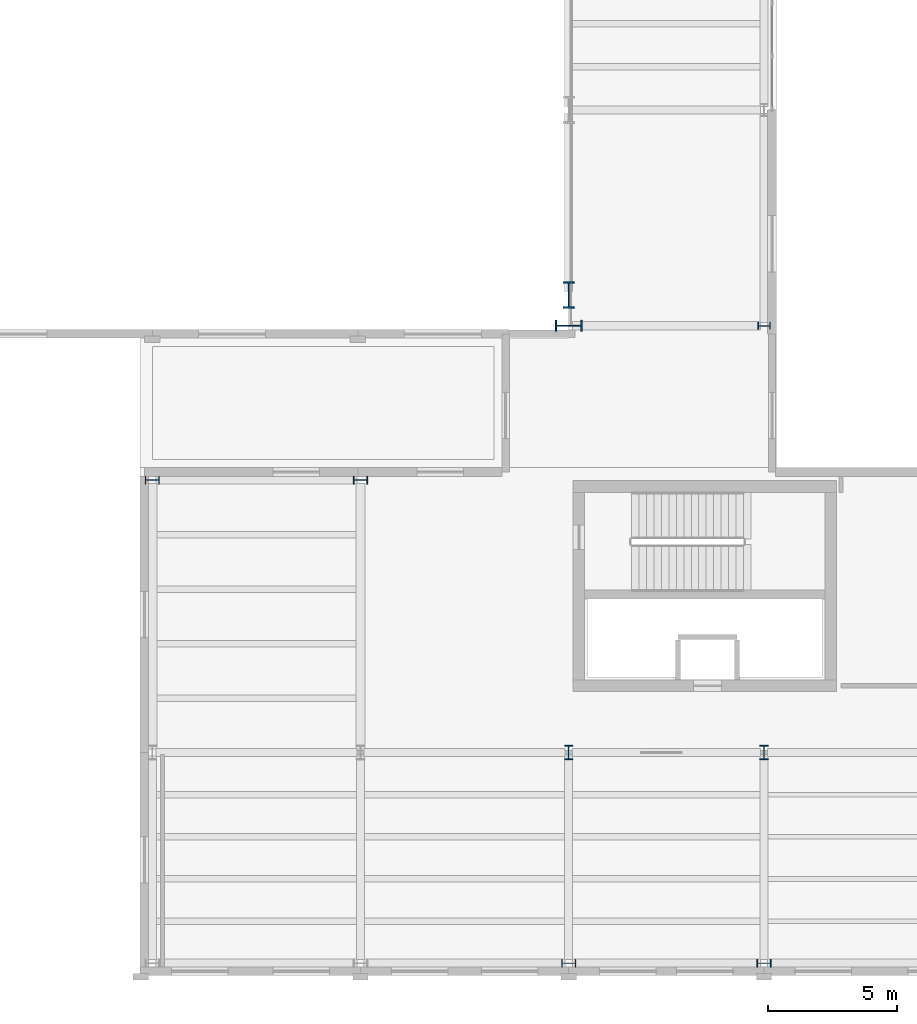
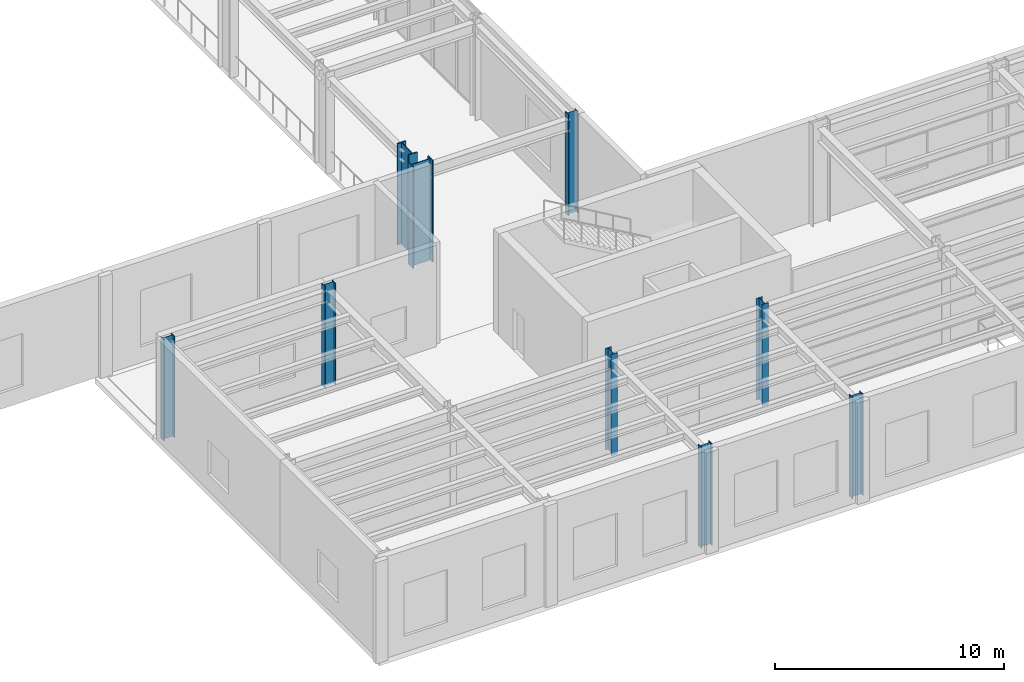
# One storey, part 2 of 98: 9 columns.
"""IFC4 building model written with IfcOpenShell, lengths in metres."""

from ifc_helpers import new_model, si_unit, direction, frame, origin, origin_2d, place, context, subcontext, project, spatial, i_section, extrude, material, material_profile, profile_set, type_object, element, save


model = new_model("IFC4")

# Units and contexts
model_context = context("Model", 3, precision=1e-05, world=origin(), true_north=direction((0.0, 1.0)))
body_context = subcontext(model_context, "Body", "Model", "MODEL_VIEW")
ifc_project = project(units=[si_unit("LENGTHUNIT", "METRE"), si_unit("AREAUNIT", "SQUARE_METRE"), si_unit("VOLUMEUNIT", "CUBIC_METRE"), si_unit("PLANEANGLEUNIT", "RADIAN"), si_unit("MASSUNIT", "GRAM", prefix="KILO")], contexts=[model_context])

# Site, building, storey
site_placement = place(None, origin())
site = spatial("IfcSite", under=ifc_project, at=site_placement, CompositionType="ELEMENT")
building_placement = place(site_placement, origin())
building = spatial("IfcBuilding", under=site, at=building_placement, Name="Sollismere Congress Hotel", CompositionType="ELEMENT")
storey_placement = place(building_placement, frame((0.0, 0.0, 5.39990234375)))
storey = spatial("IfcBuildingStorey", under=building, at=storey_placement, Name="L01", CompositionType="ELEMENT", Elevation=5.39990234375)

# Columns
ifc_material = material(Name="Steel ASTM A992 Grade 50", Category="steel")
ifc_material_profile_1 = material_profile(ifc_material, i_section(OverallWidth=0.283935546875, OverallDepth=0.4951171875, WebThickness=0.0185546875, FlangeThickness=0.033447265625, at=origin_2d()), Name="W18X143")
ifc_profile_set_1 = profile_set([ifc_material_profile_1], Name="Steel ASTM A992 Grade 50")
column_type_1 = type_object("IfcColumnType", Name="COL-W18", PredefinedType="COLUMN", material=ifc_profile_set_1)
column_placement = place(storey_placement, frame((58.0, 24.800048828125, 0.0), z_axis=(0.0, 0.0, 1.0), x_axis=(0.0, 1.0, 0.0)))
element("IfcColumn", 1, at=column_placement, inside=storey, type_object=column_type_1, Name="Column CL-L01-246", PredefinedType="COLUMN", context=body_context, shape_type="SweptSolid", body=[
    extrude(i_section(OverallWidth=0.283935546875, OverallDepth=0.4951171875, WebThickness=0.0185546875, FlangeThickness=0.033447265625, at=origin_2d()), origin(), (0.0, 0.0, 1.0), 5.400146484375),
])
ifc_material_profile_2 = material_profile(ifc_material, i_section(OverallWidth=0.31494140625, OverallDepth=0.551025390625, WebThickness=0.01513671875, FlangeThickness=0.0244140625, at=origin_2d()), Name="W21X122")
ifc_profile_set_2 = profile_set([ifc_material_profile_2], Name="Steel ASTM A992 Grade 50")
column_type_2 = type_object("IfcColumnType", Name="COL-W21", PredefinedType="COLUMN", material=ifc_profile_set_2)
for number, where, z_axis, x_axis, name in (
    (2, (34.199951171875, 18.800048828125, 0.0), (0.0, 0.0, 1.0), (0.0, 1.0, 0.0), "Column CL-L01-133"),
    (3, (42.300048828125, 18.800048828125, 0.0), (0.0, 0.0, 1.0), (0.0, 1.0, 0.0), "Column CL-L01-168"),
    (4, (50.39990234375, 0.0, 0.0), (0.0, 0.0, 1.0), (0.0, 1.0, 0.0), "Column CL-L01-187"),
    (5, (50.39990234375, 8.199951171875, 0.0), (0.0, 0.0, 1.0), (1.0, 0.0, 0.0), "Column CL-L01-195"),
    (6, (58.0, 0.0, 0.0), (0.0, 0.0, 1.0), (0.0, 1.0, 0.0), "Column CL-L01-230"),
    (7, (58.0, 8.199951171875, 0.0), (0.0, 0.0, 1.0), (1.0, 0.0, 0.0), "Column CL-L01-238"),
):
    element("IfcColumn", number, at=place(storey_placement, frame(where, z_axis=z_axis, x_axis=x_axis)), inside=storey, type_object=column_type_2, Name=name, PredefinedType="COLUMN", context=body_context, shape_type="SweptSolid", body=[
        extrude(i_section(OverallWidth=0.31494140625, OverallDepth=0.551025390625, WebThickness=0.01513671875, FlangeThickness=0.0244140625, at=origin_2d()), origin(), (0.0, 0.0, 1.0), 5.400146484375),
    ])
ifc_material_profile_3 = material_profile(ifc_material, i_section(OverallWidth=0.427001953125, OverallDepth=1.041015625, WebThickness=0.031005859375, FlangeThickness=0.055908203125, at=origin_2d()), Name="W40X397")
ifc_profile_set_3 = profile_set([ifc_material_profile_3], Name="Steel ASTM A992 Grade 50")
column_type_3 = type_object("IfcColumnType", Name="COL-W40", PredefinedType="COLUMN", material=ifc_profile_set_3)
for number, where, z_axis, x_axis, name in (
    (8, (50.39990234375, 24.800048828125, 0.0), (0.0, 0.0, 1.0), (0.0, 1.0, 0.0), "Column CL-L01-203"),
    (9, (50.39990234375, 26.0, 0.0), (0.0, 0.0, 1.0), (1.0, 0.0, 0.0), "Column CL-L01-1136"),
):
    element("IfcColumn", number, at=place(storey_placement, frame(where, z_axis=z_axis, x_axis=x_axis)), inside=storey, type_object=column_type_3, Name=name, PredefinedType="COLUMN", context=body_context, shape_type="SweptSolid", body=[
        extrude(i_section(OverallWidth=0.427001953125, OverallDepth=1.041015625, WebThickness=0.031005859375, FlangeThickness=0.055908203125, at=origin_2d()), origin(), (0.0, 0.0, 1.0), 5.400146484375),
    ])

save(model, "model.ifc")
